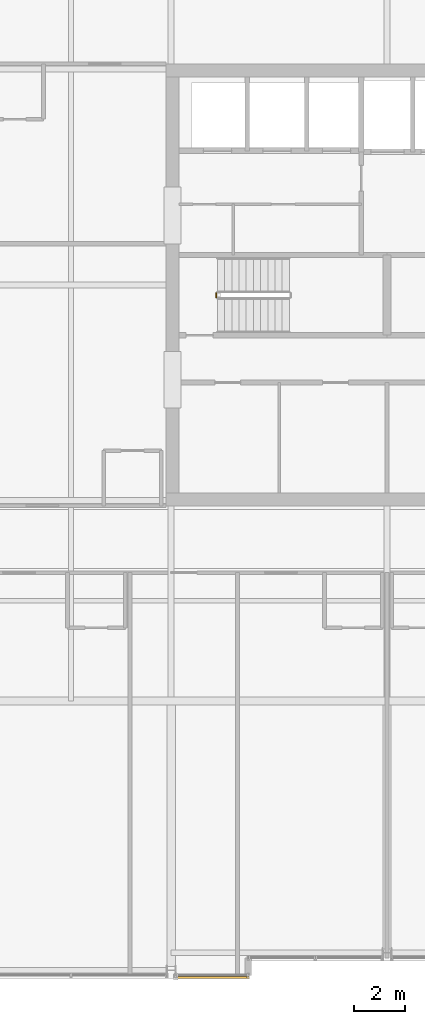
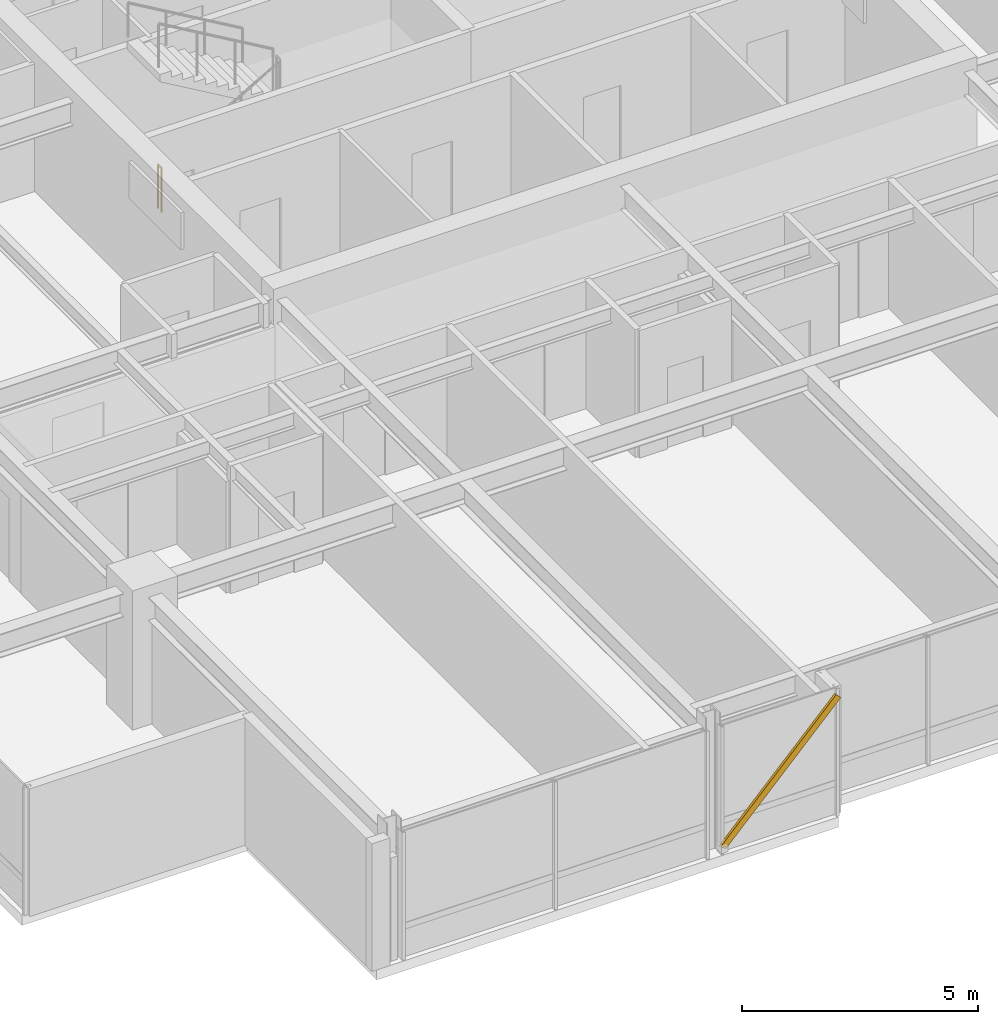
# One storey, part 32 of 34: 1 railing, 1 shading device.
"""IFC4 building model written with IfcOpenShell, lengths in metres."""

from ifc_helpers import new_model, si_unit, direction, frame, origin, origin_2d, place, context, subcontext, project, spatial, hollow_rectangle, circle, extrude, material, material_profile, profile_set, type_object, element, save


model = new_model("IFC4")

# Units and contexts
model_context = context("Model", 3, precision=1e-05, world=origin(), true_north=direction((0.0, 1.0)))
body_context = subcontext(model_context, "Body", "Model", "MODEL_VIEW")
ifc_project = project(units=[si_unit("LENGTHUNIT", "METRE"), si_unit("AREAUNIT", "SQUARE_METRE"), si_unit("VOLUMEUNIT", "CUBIC_METRE"), si_unit("PLANEANGLEUNIT", "RADIAN"), si_unit("MASSUNIT", "GRAM", prefix="KILO")], contexts=[model_context])

# Site, building, storey
site_placement = place(None, origin())
site = spatial("IfcSite", under=ifc_project, at=site_placement, CompositionType="ELEMENT")
building_placement = place(site_placement, origin())
building = spatial("IfcBuilding", under=site, at=building_placement, Name="Drelvath Grand Hotel", CompositionType="ELEMENT")
storey_placement = place(building_placement, frame((0.0, 0.0, 251.89990234375)))
storey = spatial("IfcBuildingStorey", under=building, at=storey_placement, Name="L66", CompositionType="ELEMENT", Elevation=251.89990234375)

# Railing
ifc_material_1 = material(Name="Painted Steel S275", Category="steel")
railing_type = type_object("IfcRailingType", Name="Core Stair Well Guardrail 1100", PredefinedType="GUARDRAIL", material=ifc_material_1)
railing_placement = place(storey_placement, frame((-6.64990234375, 26.52001953125, 0.0)))
element("IfcRailing", 1, at=railing_placement, inside=storey, type_object=railing_type, Name="L66 ST-1 stair guard 4", PredefinedType="GUARDRAIL", context=body_context, shape_type="SweptSolid", body=[
    extrude(circle(Radius=0.02392578125, at=origin_2d()), frame((0.0, 0.0, 1.1259765625), z_axis=(0.0, 1.0, 0.0), x_axis=(-1.0, 0.0, 0.0)), (0.0, 0.0, 1.0), 0.159912109375),
    extrude(circle(Radius=0.02099609375, at=origin_2d()), origin(), (0.0, 0.0, 1.0), 1.101806640625),
    extrude(circle(Radius=0.02099609375, at=origin_2d()), frame((0.0, 0.159912109375, 0.0)), (0.0, 0.0, 1.0), 1.101806640625),
])

# Shading device
ifc_material_2 = material(Name="Platinum-Mist Anodised Aluminium", Category="aluminium")
ifc_material_profile = material_profile(ifc_material_2, hollow_rectangle(XDim=0.06494140625, YDim=0.159912109375, WallThickness=0.00390625, at=origin_2d()), Name="HSS160X65X4")
ifc_profile_set = profile_set([ifc_material_profile], Name="Platinum-Mist Anodised Aluminium")
shading_device_type = type_object("IfcShadingDeviceType", Name="Diagonal Solar Fin Platinum Anodised HSS160X65X4", PredefinedType="USERDEFINED", material=ifc_profile_set)
shading_device_placement = place(storey_placement, frame((-8.2216796875, 0.0400390625, 0.18017578125), z_axis=(0.692459491675, 0.0, 0.721456757116), x_axis=(0.0, 1.0, 0.0)))
element("IfcShadingDevice", 2, at=shading_device_placement, inside=storey, type_object=shading_device_type, Name="L66 Diagonal Anodised Fin CW05-L66-SW3", ObjectType="FIN", PredefinedType="USERDEFINED", context=body_context, shape_type="SweptSolid", body=[
    extrude(hollow_rectangle(XDim=0.06494140625, YDim=0.159912109375, WallThickness=0.00390625, at=origin_2d()), origin(), (0.0, 0.0, 1.0), 4.074951171875),
])

save(model, "model.ifc")
